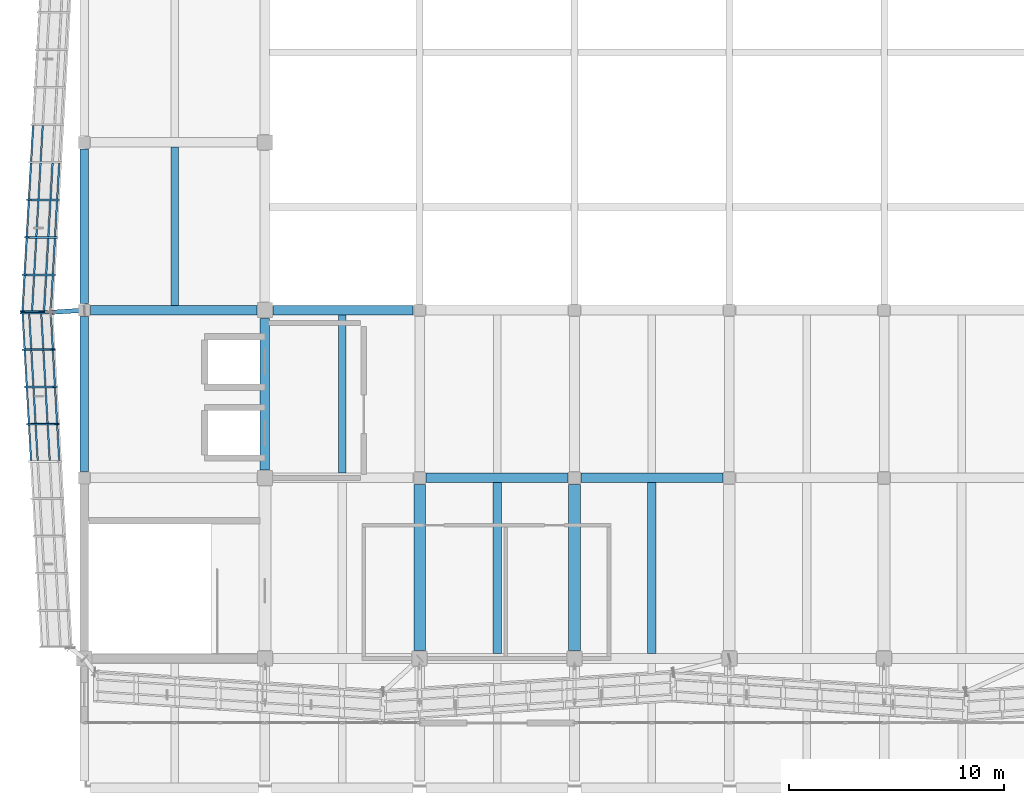
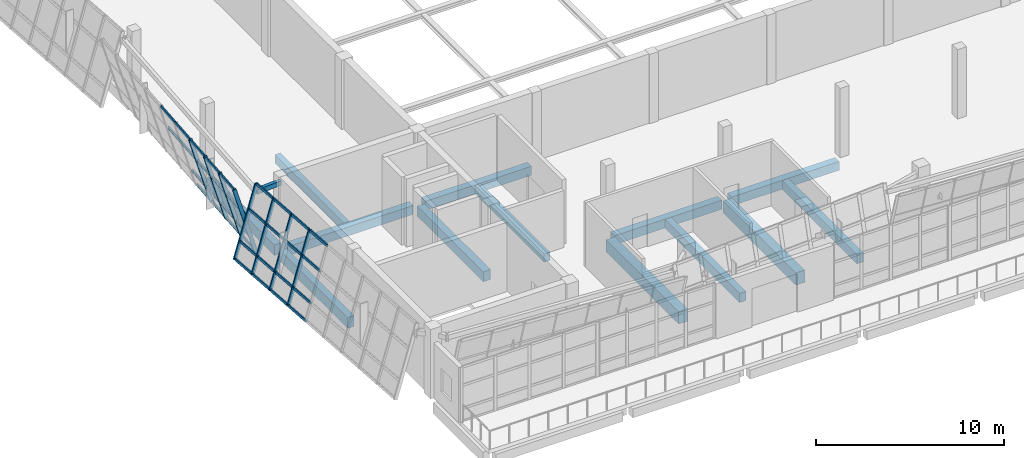
# One storey, part 7 of 67: 42 members, 14 beams, 2 elements without a shape of their own.
"""IFC4 building model written with IfcOpenShell, lengths in metres."""

from ifc_helpers import new_model, si_unit, direction, frame, origin, origin_2d, place, context, subcontext, project, spatial, rectangle, hollow_rectangle, extrude, material, material_profile, profile_set, type_object, element, aggregate, save


model = new_model("IFC4")

# Units and contexts
model_context = context("Model", 3, precision=1e-05, world=origin(), true_north=direction((0.0, 1.0)))
body_context = subcontext(model_context, "Body", "Model", "MODEL_VIEW")
ifc_project = project(units=[si_unit("LENGTHUNIT", "METRE"), si_unit("AREAUNIT", "SQUARE_METRE"), si_unit("VOLUMEUNIT", "CUBIC_METRE"), si_unit("PLANEANGLEUNIT", "RADIAN"), si_unit("MASSUNIT", "GRAM", prefix="KILO")], contexts=[model_context])

# Site, building, storey
site_placement = place(None, origin())
site = spatial("IfcSite", under=ifc_project, at=site_placement, CompositionType="ELEMENT")
building_placement = place(site_placement, origin())
building = spatial("IfcBuilding", under=site, at=building_placement, Name="Pellamere Symphony Hall", CompositionType="ELEMENT")
storey_placement = place(building_placement, frame((0.0, 0.0, 19.5)))
storey = spatial("IfcBuildingStorey", under=building, at=storey_placement, Name="L04", CompositionType="ELEMENT", Elevation=19.5)

# Curtain wall, members
ifc_material_1 = material(Name="Thermally Broken Anodised Aluminium 6063-T6 Curtain Wall", Category="aluminium")
curtain_wall_type = type_object("IfcCurtainWallType", Name="Curtain Wall CW-01 (Tilted Faceted Crystal Low-Iron Curtain Wall)", PredefinedType="NOTDEFINED", material=ifc_material_1)
curtain_wall_1_placement = place(storey_placement, origin())
curtain_wall_1 = element("IfcCurtainWall", 1, at=curtain_wall_1_placement, inside=storey, type_object=curtain_wall_type, Name="Crystal Faceted Curtain Wall CW-CR17 (L04)", PredefinedType="NOTDEFINED")
ifc_material_2 = material(Name="Anodised Architectural Aluminium 6063-T6", Category="aluminium")
ifc_material_profile_1 = material_profile(ifc_material_2, hollow_rectangle(XDim=0.074951171875, YDim=0.219970703125, WallThickness=0.0048828125, at=origin_2d()), Name="ALU-M75X220X5")
ifc_profile_set_1 = profile_set([ifc_material_profile_1], Name="Anodised Architectural Aluminium 6063-T6")
member_type_1 = type_object("IfcMemberType", Name="Curtain Wall Mullion ML-01 ALU-M75X220X5", PredefinedType="MULLION", material=ifc_profile_set_1)
member_1_placement = place(storey_placement, frame((49.14990234375, 51.333251953125, 0.0), z_axis=(-0.284024567884, 0.0, 0.95881700279), x_axis=(-0.054873944304, -0.99836096977, -0.016254976991)))
member_1 = element("IfcMember", 2, at=member_1_placement, type_object=member_type_1, Name="CW1-051 crystal mullion 7", PredefinedType="MULLION", context=body_context, shape_type="SweptSolid", body=[
    extrude(hollow_rectangle(XDim=0.074951171875, YDim=0.219970703125, WallThickness=0.0048828125, at=origin_2d()), origin(), (0.0, 0.0, 1.0), 4.693359375),
])
member_2_placement = place(storey_placement, frame((49.050048828125, 49.5888671875, 0.0), z_axis=(-0.284024567884, 0.0, 0.95881700279), x_axis=(-0.054873944304, -0.99836096977, -0.016254976991)))
member_2 = element("IfcMember", 3, at=member_2_placement, type_object=member_type_1, Name="CW1-051 crystal mullion 8", PredefinedType="MULLION", context=body_context, shape_type="SweptSolid", body=[
    extrude(hollow_rectangle(XDim=0.074951171875, YDim=0.219970703125, WallThickness=0.0048828125, at=origin_2d()), origin(), (0.0, 0.0, 1.0), 4.693359375),
])
member_3_placement = place(storey_placement, frame((48.949951171875, 47.844482421875, 0.0), z_axis=(-0.284024567884, 0.0, 0.95881700279), x_axis=(-0.054873944304, -0.99836096977, -0.016254976991)))
member_3 = element("IfcMember", 4, at=member_3_placement, type_object=member_type_1, Name="CW1-051 crystal mullion 9", PredefinedType="MULLION", context=body_context, shape_type="SweptSolid", body=[
    extrude(hollow_rectangle(XDim=0.074951171875, YDim=0.219970703125, WallThickness=0.0048828125, at=origin_2d()), origin(), (0.0, 0.0, 1.0), 4.693359375),
])
member_4_placement = place(storey_placement, frame((48.85205078125, 46.137451171875, 0.0), z_axis=(-0.284024567884, 0.0, 0.95881700279), x_axis=(-0.054873944304, -0.99836096977, -0.016254976991)))
member_4 = element("IfcMember", 5, at=member_4_placement, type_object=member_type_1, Name="CW1-051 crystal mullion 10", PredefinedType="MULLION", context=body_context, shape_type="SweptSolid", body=[
    extrude(hollow_rectangle(XDim=0.074951171875, YDim=0.219970703125, WallThickness=0.0048828125, at=origin_2d()), origin(), (0.0, 0.0, 1.0), 4.693359375),
])

curtain_wall_2_placement = place(storey_placement, origin())
curtain_wall_2 = element("IfcCurtainWall", 6, at=curtain_wall_2_placement, inside=storey, type_object=curtain_wall_type, Name="Crystal Faceted Curtain Wall CW-CR18 (L04)", PredefinedType="NOTDEFINED")
member_5_placement = place(storey_placement, frame((47.51904296875, 46.0625, 0.0), z_axis=(0.284024567884, 0.0, 0.95881700279), x_axis=(-0.055224537145, 0.998339941676, 0.01635883099)))
member_5 = element("IfcMember", 7, at=member_5_placement, type_object=member_type_1, Name="CW1-056 crystal mullion 1", PredefinedType="MULLION", context=body_context, shape_type="SweptSolid", body=[
    extrude(hollow_rectangle(XDim=0.074951171875, YDim=0.219970703125, WallThickness=0.0048828125, at=origin_2d()), origin(), (0.0, 0.0, 1.0), 4.693359375),
])
member_6_placement = place(storey_placement, frame((47.616943359375, 44.36669921875, 0.0), z_axis=(0.284024567884, 0.0, 0.95881700279), x_axis=(-0.055224537145, 0.998339941676, 0.01635883099)))
member_6 = element("IfcMember", 8, at=member_6_placement, type_object=member_type_1, Name="CW1-056 crystal mullion 2", PredefinedType="MULLION", context=body_context, shape_type="SweptSolid", body=[
    extrude(hollow_rectangle(XDim=0.074951171875, YDim=0.219970703125, WallThickness=0.0048828125, at=origin_2d()), origin(), (0.0, 0.0, 1.0), 4.693359375),
])
member_7_placement = place(storey_placement, frame((47.717041015625, 42.63330078125, 0.0), z_axis=(0.284024567884, 0.0, 0.95881700279), x_axis=(-0.055224537145, 0.998339941676, 0.01635883099)))
member_7 = element("IfcMember", 9, at=member_7_placement, type_object=member_type_1, Name="CW1-056 crystal mullion 3", PredefinedType="MULLION", context=body_context, shape_type="SweptSolid", body=[
    extrude(hollow_rectangle(XDim=0.074951171875, YDim=0.219970703125, WallThickness=0.0048828125, at=origin_2d()), origin(), (0.0, 0.0, 1.0), 4.693359375),
])
member_8_placement = place(storey_placement, frame((47.81689453125, 40.89990234375, 0.0), z_axis=(0.284024567884, 0.0, 0.95881700279), x_axis=(-0.055224537145, 0.998339941676, 0.01635883099)))
member_8 = element("IfcMember", 10, at=member_8_placement, type_object=member_type_1, Name="CW1-056 crystal mullion 4", PredefinedType="MULLION", context=body_context, shape_type="SweptSolid", body=[
    extrude(hollow_rectangle(XDim=0.074951171875, YDim=0.219970703125, WallThickness=0.0048828125, at=origin_2d()), origin(), (0.0, 0.0, 1.0), 4.693359375),
])

# Member
ifc_material_profile_2 = material_profile(ifc_material_2, hollow_rectangle(XDim=0.074951171875, YDim=0.179931640625, WallThickness=0.0048828125, at=origin_2d()), Name="ALU-T75X180X5")
ifc_profile_set_2 = profile_set([ifc_material_profile_2], Name="Anodised Architectural Aluminium 6063-T6")
member_type_2 = type_object("IfcMemberType", Name="Curtain Wall Transom TR-01 ALU-T75X180X5", PredefinedType="USERDEFINED", material=ifc_profile_set_2)
member_9_placement = place(storey_placement, frame((48.468017578125, 54.78466796875, 2.969970703125), z_axis=(-0.057232737422, -0.998360863499, 0.0), x_axis=(0.998360863499, -0.057232737422, 0.0)))
member_9 = element("IfcMember", 11, at=member_9_placement, type_object=member_type_2, Name="CW1-051 crystal transom 5.3", ObjectType="TRANSOM", PredefinedType="USERDEFINED", context=body_context, shape_type="SweptSolid", body=[
    extrude(hollow_rectangle(XDim=0.074951171875, YDim=0.179931640625, WallThickness=0.0048828125, at=origin_2d()), origin(), (0.0, 0.0, 1.0), 1.672119140625),
])

member_10_placement = place(storey_placement, frame((48.025390625, 54.78466796875, 4.464111328125), z_axis=(-0.057232737422, -0.998360863499, 0.0), x_axis=(0.998360863499, -0.057232737422, 0.0)))
member_10 = element("IfcMember", 12, at=member_10_placement, type_object=member_type_2, Name="CW1-051 crystal transom 5.4", ObjectType="TRANSOM", PredefinedType="USERDEFINED", context=body_context, shape_type="SweptSolid", body=[
    extrude(hollow_rectangle(XDim=0.074951171875, YDim=0.179931640625, WallThickness=0.0048828125, at=origin_2d()), origin(), (0.0, 0.0, 1.0), 1.672119140625),
])

member_11_placement = place(storey_placement, frame((49.2373046875, 53.040283203125, 0.035888671875), z_axis=(-0.057232737422, -0.998360863499, 0.0), x_axis=(0.998360863499, -0.057232737422, 0.0)))
member_11 = element("IfcMember", 13, at=member_11_placement, type_object=member_type_2, Name="CW1-051 crystal transom 6.1", ObjectType="TRANSOM", PredefinedType="USERDEFINED", context=body_context, shape_type="SweptSolid", body=[
    extrude(hollow_rectangle(XDim=0.074951171875, YDim=0.179931640625, WallThickness=0.0048828125, at=origin_2d()), origin(), (0.0, 0.0, 1.0), 1.672119140625),
])

member_12_placement = place(storey_placement, frame((48.927978515625, 53.040283203125, 1.080078125), z_axis=(-0.057232737422, -0.998360863499, 0.0), x_axis=(0.998360863499, -0.057232737422, 0.0)))
member_12 = element("IfcMember", 14, at=member_12_placement, type_object=member_type_2, Name="CW1-051 crystal transom 6.2", ObjectType="TRANSOM", PredefinedType="USERDEFINED", context=body_context, shape_type="SweptSolid", body=[
    extrude(hollow_rectangle(XDim=0.074951171875, YDim=0.179931640625, WallThickness=0.0048828125, at=origin_2d()), origin(), (0.0, 0.0, 1.0), 1.672119140625),
])

member_13_placement = place(storey_placement, frame((48.3681640625, 53.040283203125, 2.969970703125), z_axis=(-0.057232737422, -0.998360863499, 0.0), x_axis=(0.998360863499, -0.057232737422, 0.0)))
member_13 = element("IfcMember", 15, at=member_13_placement, type_object=member_type_2, Name="CW1-051 crystal transom 6.3", ObjectType="TRANSOM", PredefinedType="USERDEFINED", context=body_context, shape_type="SweptSolid", body=[
    extrude(hollow_rectangle(XDim=0.074951171875, YDim=0.179931640625, WallThickness=0.0048828125, at=origin_2d()), origin(), (0.0, 0.0, 1.0), 1.672119140625),
])

member_14_placement = place(storey_placement, frame((47.925537109375, 53.040283203125, 4.464111328125), z_axis=(-0.057232737422, -0.998360863499, 0.0), x_axis=(0.998360863499, -0.057232737422, 0.0)))
member_14 = element("IfcMember", 16, at=member_14_placement, type_object=member_type_2, Name="CW1-051 crystal transom 6.4", ObjectType="TRANSOM", PredefinedType="USERDEFINED", context=body_context, shape_type="SweptSolid", body=[
    extrude(hollow_rectangle(XDim=0.074951171875, YDim=0.179931640625, WallThickness=0.0048828125, at=origin_2d()), origin(), (0.0, 0.0, 1.0), 1.672119140625),
])

member_15_placement = place(storey_placement, frame((49.13720703125, 51.2958984375, 0.035888671875), z_axis=(-0.057224396245, -0.998361341637, 0.0), x_axis=(0.998361341637, -0.057224396245, 0.0)))
member_15 = element("IfcMember", 17, at=member_15_placement, type_object=member_type_2, Name="CW1-051 crystal transom 7.1", ObjectType="TRANSOM", PredefinedType="USERDEFINED", context=body_context, shape_type="SweptSolid", body=[
    extrude(hollow_rectangle(XDim=0.074951171875, YDim=0.179931640625, WallThickness=0.0048828125, at=origin_2d()), origin(), (0.0, 0.0, 1.0), 1.67236328125),
])

member_16_placement = place(storey_placement, frame((48.827880859375, 51.2958984375, 1.080078125), z_axis=(-0.057224396245, -0.998361341637, 0.0), x_axis=(0.998361341637, -0.057224396245, 0.0)))
member_16 = element("IfcMember", 18, at=member_16_placement, type_object=member_type_2, Name="CW1-051 crystal transom 7.2", ObjectType="TRANSOM", PredefinedType="USERDEFINED", context=body_context, shape_type="SweptSolid", body=[
    extrude(hollow_rectangle(XDim=0.074951171875, YDim=0.179931640625, WallThickness=0.0048828125, at=origin_2d()), origin(), (0.0, 0.0, 1.0), 1.67236328125),
])

member_17_placement = place(storey_placement, frame((48.26806640625, 51.2958984375, 2.969970703125), z_axis=(-0.057224396245, -0.998361341637, 0.0), x_axis=(0.998361341637, -0.057224396245, 0.0)))
member_17 = element("IfcMember", 19, at=member_17_placement, type_object=member_type_2, Name="CW1-051 crystal transom 7.3", ObjectType="TRANSOM", PredefinedType="USERDEFINED", context=body_context, shape_type="SweptSolid", body=[
    extrude(hollow_rectangle(XDim=0.074951171875, YDim=0.179931640625, WallThickness=0.0048828125, at=origin_2d()), origin(), (0.0, 0.0, 1.0), 1.67236328125),
])

member_18_placement = place(storey_placement, frame((47.825439453125, 51.2958984375, 4.464111328125), z_axis=(-0.057224396245, -0.998361341637, 0.0), x_axis=(0.998361341637, -0.057224396245, 0.0)))
member_18 = element("IfcMember", 20, at=member_18_placement, type_object=member_type_2, Name="CW1-051 crystal transom 7.4", ObjectType="TRANSOM", PredefinedType="USERDEFINED", context=body_context, shape_type="SweptSolid", body=[
    extrude(hollow_rectangle(XDim=0.074951171875, YDim=0.179931640625, WallThickness=0.0048828125, at=origin_2d()), origin(), (0.0, 0.0, 1.0), 1.67236328125),
])

member_19_placement = place(storey_placement, frame((49.037109375, 49.551513671875, 0.035888671875), z_axis=(-0.057224396245, -0.998361341637, 0.0), x_axis=(0.998361341637, -0.057224396245, 0.0)))
member_19 = element("IfcMember", 21, at=member_19_placement, type_object=member_type_2, Name="CW1-051 crystal transom 8.1", ObjectType="TRANSOM", PredefinedType="USERDEFINED", context=body_context, shape_type="SweptSolid", body=[
    extrude(hollow_rectangle(XDim=0.074951171875, YDim=0.179931640625, WallThickness=0.0048828125, at=origin_2d()), origin(), (0.0, 0.0, 1.0), 1.67236328125),
])

member_20_placement = place(storey_placement, frame((48.72802734375, 49.551513671875, 1.080078125), z_axis=(-0.057224396245, -0.998361341637, 0.0), x_axis=(0.998361341637, -0.057224396245, 0.0)))
member_20 = element("IfcMember", 22, at=member_20_placement, type_object=member_type_2, Name="CW1-051 crystal transom 8.2", ObjectType="TRANSOM", PredefinedType="USERDEFINED", context=body_context, shape_type="SweptSolid", body=[
    extrude(hollow_rectangle(XDim=0.074951171875, YDim=0.179931640625, WallThickness=0.0048828125, at=origin_2d()), origin(), (0.0, 0.0, 1.0), 1.67236328125),
])

member_21_placement = place(storey_placement, frame((48.16796875, 49.551513671875, 2.969970703125), z_axis=(-0.057224396245, -0.998361341637, 0.0), x_axis=(0.998361341637, -0.057224396245, 0.0)))
member_21 = element("IfcMember", 23, at=member_21_placement, type_object=member_type_2, Name="CW1-051 crystal transom 8.3", ObjectType="TRANSOM", PredefinedType="USERDEFINED", context=body_context, shape_type="SweptSolid", body=[
    extrude(hollow_rectangle(XDim=0.074951171875, YDim=0.179931640625, WallThickness=0.0048828125, at=origin_2d()), origin(), (0.0, 0.0, 1.0), 1.67236328125),
])

member_22_placement = place(storey_placement, frame((47.7255859375, 49.551513671875, 4.464111328125), z_axis=(-0.057224396245, -0.998361341637, 0.0), x_axis=(0.998361341637, -0.057224396245, 0.0)))
member_22 = element("IfcMember", 24, at=member_22_placement, type_object=member_type_2, Name="CW1-051 crystal transom 8.4", ObjectType="TRANSOM", PredefinedType="USERDEFINED", context=body_context, shape_type="SweptSolid", body=[
    extrude(hollow_rectangle(XDim=0.074951171875, YDim=0.179931640625, WallThickness=0.0048828125, at=origin_2d()), origin(), (0.0, 0.0, 1.0), 1.67236328125),
])

member_23_placement = place(storey_placement, frame((48.937255859375, 47.806884765625, 0.035888671875), z_axis=(-0.057198647566, -0.998362817175, 0.0), x_axis=(0.998362817175, -0.057198647566, 0.0)))
member_23 = element("IfcMember", 25, at=member_23_placement, type_object=member_type_2, Name="CW1-051 crystal transom 9.1", ObjectType="TRANSOM", PredefinedType="USERDEFINED", context=body_context, shape_type="SweptSolid", body=[
    extrude(hollow_rectangle(XDim=0.074951171875, YDim=0.179931640625, WallThickness=0.0048828125, at=origin_2d()), origin(), (0.0, 0.0, 1.0), 1.634765625),
])

member_24_placement = place(storey_placement, frame((48.6279296875, 47.806884765625, 1.080078125), z_axis=(-0.057198647566, -0.998362817175, 0.0), x_axis=(0.998362817175, -0.057198647566, 0.0)))
member_24 = element("IfcMember", 26, at=member_24_placement, type_object=member_type_2, Name="CW1-051 crystal transom 9.2", ObjectType="TRANSOM", PredefinedType="USERDEFINED", context=body_context, shape_type="SweptSolid", body=[
    extrude(hollow_rectangle(XDim=0.074951171875, YDim=0.179931640625, WallThickness=0.0048828125, at=origin_2d()), origin(), (0.0, 0.0, 1.0), 1.634765625),
])

member_25_placement = place(storey_placement, frame((48.068115234375, 47.806884765625, 2.969970703125), z_axis=(-0.057198647566, -0.998362817175, 0.0), x_axis=(0.998362817175, -0.057198647566, 0.0)))
member_25 = element("IfcMember", 27, at=member_25_placement, type_object=member_type_2, Name="CW1-051 crystal transom 9.3", ObjectType="TRANSOM", PredefinedType="USERDEFINED", context=body_context, shape_type="SweptSolid", body=[
    extrude(hollow_rectangle(XDim=0.074951171875, YDim=0.179931640625, WallThickness=0.0048828125, at=origin_2d()), origin(), (0.0, 0.0, 1.0), 1.634765625),
])

member_26_placement = place(storey_placement, frame((47.62548828125, 47.806884765625, 4.464111328125), z_axis=(-0.057198647566, -0.998362817175, 0.0), x_axis=(0.998362817175, -0.057198647566, 0.0)))
member_26 = element("IfcMember", 28, at=member_26_placement, type_object=member_type_2, Name="CW1-051 crystal transom 9.4", ObjectType="TRANSOM", PredefinedType="USERDEFINED", context=body_context, shape_type="SweptSolid", body=[
    extrude(hollow_rectangle(XDim=0.074951171875, YDim=0.179931640625, WallThickness=0.0048828125, at=origin_2d()), origin(), (0.0, 0.0, 1.0), 1.634765625),
])

aggregate(curtain_wall_1, [member_1, member_2, member_3, member_4, member_9, member_10, member_11, member_12, member_13, member_14, member_15, member_16, member_17, member_18, member_19, member_20, member_21, member_22, member_23, member_24, member_25, member_26])

member_27_placement = place(storey_placement, frame((47.531982421875, 46.025146484375, 0.035888671875), z_axis=(0.057585007883, -0.99834060664, 0.0), x_axis=(0.99834060664, 0.057585007883, 0.0)))
member_27 = element("IfcMember", 29, at=member_27_placement, type_object=member_type_2, Name="CW1-056 crystal transom 1.1", ObjectType="TRANSOM", PredefinedType="USERDEFINED", context=body_context, shape_type="SweptSolid", body=[
    extrude(hollow_rectangle(XDim=0.074951171875, YDim=0.179931640625, WallThickness=0.0048828125, at=origin_2d()), origin(), (0.0, 0.0, 1.0), 1.623779296875),
])

member_28_placement = place(storey_placement, frame((47.84130859375, 46.025146484375, 1.080078125), z_axis=(0.057585007883, -0.99834060664, 0.0), x_axis=(0.99834060664, 0.057585007883, 0.0)))
member_28 = element("IfcMember", 30, at=member_28_placement, type_object=member_type_2, Name="CW1-056 crystal transom 1.2", ObjectType="TRANSOM", PredefinedType="USERDEFINED", context=body_context, shape_type="SweptSolid", body=[
    extrude(hollow_rectangle(XDim=0.074951171875, YDim=0.179931640625, WallThickness=0.0048828125, at=origin_2d()), origin(), (0.0, 0.0, 1.0), 1.623779296875),
])

member_29_placement = place(storey_placement, frame((48.401123046875, 46.025146484375, 2.969970703125), z_axis=(0.057585007883, -0.99834060664, 0.0), x_axis=(0.99834060664, 0.057585007883, 0.0)))
member_29 = element("IfcMember", 31, at=member_29_placement, type_object=member_type_2, Name="CW1-056 crystal transom 1.3", ObjectType="TRANSOM", PredefinedType="USERDEFINED", context=body_context, shape_type="SweptSolid", body=[
    extrude(hollow_rectangle(XDim=0.074951171875, YDim=0.179931640625, WallThickness=0.0048828125, at=origin_2d()), origin(), (0.0, 0.0, 1.0), 1.623779296875),
])

member_30_placement = place(storey_placement, frame((48.84375, 46.025146484375, 4.464111328125), z_axis=(0.057585007883, -0.99834060664, 0.0), x_axis=(0.99834060664, 0.057585007883, 0.0)))
member_30 = element("IfcMember", 32, at=member_30_placement, type_object=member_type_2, Name="CW1-056 crystal transom 1.4", ObjectType="TRANSOM", PredefinedType="USERDEFINED", context=body_context, shape_type="SweptSolid", body=[
    extrude(hollow_rectangle(XDim=0.074951171875, YDim=0.179931640625, WallThickness=0.0048828125, at=origin_2d()), origin(), (0.0, 0.0, 1.0), 1.623779296875),
])

member_31_placement = place(storey_placement, frame((47.6298828125, 44.329345703125, 0.035888671875), z_axis=(0.057602168051, -0.998339616682, 0.0), x_axis=(0.998339616682, 0.057602168051, 0.0)))
member_31 = element("IfcMember", 33, at=member_31_placement, type_object=member_type_2, Name="CW1-056 crystal transom 2.1", ObjectType="TRANSOM", PredefinedType="USERDEFINED", context=body_context, shape_type="SweptSolid", body=[
    extrude(hollow_rectangle(XDim=0.074951171875, YDim=0.179931640625, WallThickness=0.0048828125, at=origin_2d()), origin(), (0.0, 0.0, 1.0), 1.661376953125),
])

member_32_placement = place(storey_placement, frame((47.93896484375, 44.329345703125, 1.080078125), z_axis=(0.057602168051, -0.998339616682, 0.0), x_axis=(0.998339616682, 0.057602168051, 0.0)))
member_32 = element("IfcMember", 34, at=member_32_placement, type_object=member_type_2, Name="CW1-056 crystal transom 2.2", ObjectType="TRANSOM", PredefinedType="USERDEFINED", context=body_context, shape_type="SweptSolid", body=[
    extrude(hollow_rectangle(XDim=0.074951171875, YDim=0.179931640625, WallThickness=0.0048828125, at=origin_2d()), origin(), (0.0, 0.0, 1.0), 1.661376953125),
])

member_33_placement = place(storey_placement, frame((48.4990234375, 44.329345703125, 2.969970703125), z_axis=(0.057602168051, -0.998339616682, 0.0), x_axis=(0.998339616682, 0.057602168051, 0.0)))
member_33 = element("IfcMember", 35, at=member_33_placement, type_object=member_type_2, Name="CW1-056 crystal transom 2.3", ObjectType="TRANSOM", PredefinedType="USERDEFINED", context=body_context, shape_type="SweptSolid", body=[
    extrude(hollow_rectangle(XDim=0.074951171875, YDim=0.179931640625, WallThickness=0.0048828125, at=origin_2d()), origin(), (0.0, 0.0, 1.0), 1.661376953125),
])

member_34_placement = place(storey_placement, frame((48.94140625, 44.329345703125, 4.464111328125), z_axis=(0.057602168051, -0.998339616682, 0.0), x_axis=(0.998339616682, 0.057602168051, 0.0)))
member_34 = element("IfcMember", 36, at=member_34_placement, type_object=member_type_2, Name="CW1-056 crystal transom 2.4", ObjectType="TRANSOM", PredefinedType="USERDEFINED", context=body_context, shape_type="SweptSolid", body=[
    extrude(hollow_rectangle(XDim=0.074951171875, YDim=0.179931640625, WallThickness=0.0048828125, at=origin_2d()), origin(), (0.0, 0.0, 1.0), 1.661376953125),
])

member_35_placement = place(storey_placement, frame((47.729736328125, 42.595947265625, 0.035888671875), z_axis=(0.057610619545, -0.998339129012, 0.0), x_axis=(0.998339129012, 0.057610619545, 0.0)))
member_35 = element("IfcMember", 37, at=member_35_placement, type_object=member_type_2, Name="CW1-056 crystal transom 3.1", ObjectType="TRANSOM", PredefinedType="USERDEFINED", context=body_context, shape_type="SweptSolid", body=[
    extrude(hollow_rectangle(XDim=0.074951171875, YDim=0.179931640625, WallThickness=0.0048828125, at=origin_2d()), origin(), (0.0, 0.0, 1.0), 1.6611328125),
])

member_36_placement = place(storey_placement, frame((48.0390625, 42.595947265625, 1.080078125), z_axis=(0.057610619545, -0.998339129012, 0.0), x_axis=(0.998339129012, 0.057610619545, 0.0)))
member_36 = element("IfcMember", 38, at=member_36_placement, type_object=member_type_2, Name="CW1-056 crystal transom 3.2", ObjectType="TRANSOM", PredefinedType="USERDEFINED", context=body_context, shape_type="SweptSolid", body=[
    extrude(hollow_rectangle(XDim=0.074951171875, YDim=0.179931640625, WallThickness=0.0048828125, at=origin_2d()), origin(), (0.0, 0.0, 1.0), 1.6611328125),
])

member_37_placement = place(storey_placement, frame((48.598876953125, 42.595947265625, 2.969970703125), z_axis=(0.057610619545, -0.998339129012, 0.0), x_axis=(0.998339129012, 0.057610619545, 0.0)))
member_37 = element("IfcMember", 39, at=member_37_placement, type_object=member_type_2, Name="CW1-056 crystal transom 3.3", ObjectType="TRANSOM", PredefinedType="USERDEFINED", context=body_context, shape_type="SweptSolid", body=[
    extrude(hollow_rectangle(XDim=0.074951171875, YDim=0.179931640625, WallThickness=0.0048828125, at=origin_2d()), origin(), (0.0, 0.0, 1.0), 1.6611328125),
])

member_38_placement = place(storey_placement, frame((49.04150390625, 42.595947265625, 4.464111328125), z_axis=(0.057610619545, -0.998339129012, 0.0), x_axis=(0.998339129012, 0.057610619545, 0.0)))
member_38 = element("IfcMember", 40, at=member_38_placement, type_object=member_type_2, Name="CW1-056 crystal transom 3.4", ObjectType="TRANSOM", PredefinedType="USERDEFINED", context=body_context, shape_type="SweptSolid", body=[
    extrude(hollow_rectangle(XDim=0.074951171875, YDim=0.179931640625, WallThickness=0.0048828125, at=origin_2d()), origin(), (0.0, 0.0, 1.0), 1.6611328125),
])

member_39_placement = place(storey_placement, frame((47.829833984375, 40.862548828125, 0.035888671875), z_axis=(0.057610619545, -0.998339129012, 0.0), x_axis=(0.998339129012, 0.057610619545, 0.0)))
member_39 = element("IfcMember", 41, at=member_39_placement, type_object=member_type_2, Name="CW1-056 crystal transom 4.1", ObjectType="TRANSOM", PredefinedType="USERDEFINED", context=body_context, shape_type="SweptSolid", body=[
    extrude(hollow_rectangle(XDim=0.074951171875, YDim=0.179931640625, WallThickness=0.0048828125, at=origin_2d()), origin(), (0.0, 0.0, 1.0), 1.6611328125),
])

member_40_placement = place(storey_placement, frame((48.13916015625, 40.862548828125, 1.080078125), z_axis=(0.057610619545, -0.998339129012, 0.0), x_axis=(0.998339129012, 0.057610619545, 0.0)))
member_40 = element("IfcMember", 42, at=member_40_placement, type_object=member_type_2, Name="CW1-056 crystal transom 4.2", ObjectType="TRANSOM", PredefinedType="USERDEFINED", context=body_context, shape_type="SweptSolid", body=[
    extrude(hollow_rectangle(XDim=0.074951171875, YDim=0.179931640625, WallThickness=0.0048828125, at=origin_2d()), origin(), (0.0, 0.0, 1.0), 1.6611328125),
])

member_41_placement = place(storey_placement, frame((48.698974609375, 40.862548828125, 2.969970703125), z_axis=(0.057610619545, -0.998339129012, 0.0), x_axis=(0.998339129012, 0.057610619545, 0.0)))
member_41 = element("IfcMember", 43, at=member_41_placement, type_object=member_type_2, Name="CW1-056 crystal transom 4.3", ObjectType="TRANSOM", PredefinedType="USERDEFINED", context=body_context, shape_type="SweptSolid", body=[
    extrude(hollow_rectangle(XDim=0.074951171875, YDim=0.179931640625, WallThickness=0.0048828125, at=origin_2d()), origin(), (0.0, 0.0, 1.0), 1.6611328125),
])

member_42_placement = place(storey_placement, frame((49.1416015625, 40.862548828125, 4.464111328125), z_axis=(0.057610619545, -0.998339129012, 0.0), x_axis=(0.998339129012, 0.057610619545, 0.0)))
member_42 = element("IfcMember", 44, at=member_42_placement, type_object=member_type_2, Name="CW1-056 crystal transom 4.4", ObjectType="TRANSOM", PredefinedType="USERDEFINED", context=body_context, shape_type="SweptSolid", body=[
    extrude(hollow_rectangle(XDim=0.074951171875, YDim=0.179931640625, WallThickness=0.0048828125, at=origin_2d()), origin(), (0.0, 0.0, 1.0), 1.6611328125),
])

aggregate(curtain_wall_2, [member_5, member_6, member_7, member_8, member_27, member_28, member_29, member_30, member_31, member_32, member_33, member_34, member_35, member_36, member_37, member_38, member_39, member_40, member_41, member_42])

# Beams
ifc_material_3 = material(Name="Concrete 40 MPa", Category="concrete")
ifc_material_profile_3 = material_profile(ifc_material_3, rectangle(XDim=0.550048828125, YDim=0.800048828125, at=origin_2d()), Name="RC 550x800")
ifc_profile_set_3 = profile_set([ifc_material_profile_3], Name="Concrete 40 MPa")
beam_type_1 = type_object("IfcBeamType", Name="RC CB-05 550x800", PredefinedType="BEAM", material=ifc_profile_set_3)
for number, where, z_axis, x_axis, name in (
    (45, (66.0, 30.375, -0.659912109375), (0.0, 1.0, 0.0), (-1.0, 0.0, 0.0), "Girder CB-05-Y1887 (L04)"),
    (46, (73.199951171875, 30.375, -0.659912109375), (0.0, 1.0, 0.0), (-1.0, 0.0, 0.0), "Girder CB-05-Y1890 (L04)"),
):
    element("IfcBeam", number, at=place(storey_placement, frame(where, z_axis=z_axis, x_axis=x_axis)), inside=storey, type_object=beam_type_1, Name=name, PredefinedType="BEAM", context=body_context, shape_type="SweptSolid", body=[
        extrude(rectangle(XDim=0.550048828125, YDim=0.800048828125, at=origin_2d()), origin(), (0.0, 0.0, 1.0), 7.72509765625),
    ])
ifc_material_profile_4 = material_profile(ifc_material_3, rectangle(XDim=0.449951171875, YDim=0.64990234375, at=origin_2d()), Name="RC 450x650")
ifc_profile_set_4 = profile_set([ifc_material_profile_4], Name="Concrete 40 MPa")
beam_type_2 = type_object("IfcBeamType", Name="RC CB-08 450x650", PredefinedType="BEAM", material=ifc_profile_set_4)
beam_1_placement = place(storey_placement, frame((58.800048828125, 38.77490234375, -0.5849609375), z_axis=(0.0, 1.0, 0.0), x_axis=(-1.0, 0.0, 0.0)))
element("IfcBeam", 47, at=beam_1_placement, inside=storey, type_object=beam_type_2, Name="Girder CB-08-Y1879 (L04)", PredefinedType="BEAM", context=body_context, shape_type="SweptSolid", body=[
    extrude(rectangle(XDim=0.449951171875, YDim=0.64990234375, at=origin_2d()), origin(), (0.0, 0.0, 1.0), 7.050048828125),
])
ifc_material_profile_5 = material_profile(ifc_material_3, rectangle(XDim=0.39990234375, YDim=0.60009765625, at=origin_2d()), Name="RC 400x600")
ifc_profile_set_5 = profile_set([ifc_material_profile_5], Name="Concrete 40 MPa")
beam_type_3 = type_object("IfcBeamType", Name="RC CB-09 400x600", PredefinedType="BEAM", material=ifc_profile_set_5)
for number, where, z_axis, x_axis, name in (
    (48, (69.60009765625, 30.239990234375, -0.574951171875), (0.0, 1.0, 0.0), (-1.0, 0.0, 0.0), "Secondary Floor Beam CB-09-M0804 (L04)"),
    (49, (76.800048828125, 30.239990234375, -0.574951171875), (0.0, 1.0, 0.0), (-1.0, 0.0, 0.0), "Secondary Floor Beam CB-09-M0904 (L04)"),
):
    element("IfcBeam", number, at=place(storey_placement, frame(where, z_axis=z_axis, x_axis=x_axis)), inside=storey, type_object=beam_type_3, Name=name, PredefinedType="BEAM", context=body_context, shape_type="SweptSolid", body=[
        extrude(rectangle(XDim=0.39990234375, YDim=0.60009765625, at=origin_2d()), origin(), (0.0, 0.0, 1.0), 7.93994140625),
    ])
ifc_material_4 = material(Name="Concrete 35 MPa", Category="concrete")
ifc_material_profile_6 = material_profile(ifc_material_4, rectangle(XDim=0.35009765625, YDim=0.550048828125, at=origin_2d()), Name="RC 350x550")
ifc_profile_set_6 = profile_set([ifc_material_profile_6], Name="Concrete 35 MPa")
beam_type_4 = type_object("IfcBeamType", Name="RC CB-10 350x550", PredefinedType="BEAM", material=ifc_profile_set_6)
beam_2_placement = place(storey_placement, frame((54.60009765625, 46.419921875, -0.550048828125), z_axis=(0.0, 1.0, 0.0), x_axis=(-1.0, 0.0, 0.0)))
element("IfcBeam", 50, at=beam_2_placement, inside=storey, type_object=beam_type_4, Name="Secondary Floor Beam CB-10-M0606 (L04)", PredefinedType="BEAM", context=body_context, shape_type="SweptSolid", body=[
    extrude(rectangle(XDim=0.35009765625, YDim=0.550048828125, at=origin_2d()), origin(), (0.0, 0.0, 1.0), 7.360107421875),
])
beam_3_placement = place(storey_placement, frame((62.39990234375, 38.6201171875, -0.550048828125), z_axis=(0.0, 1.0, 0.0), x_axis=(-1.0, 0.0, 0.0)))
element("IfcBeam", 51, at=beam_3_placement, inside=storey, type_object=beam_type_4, Name="Secondary Floor Beam CB-10-M0705 (L04)", PredefinedType="BEAM", context=body_context, shape_type="SweptSolid", body=[
    extrude(rectangle(XDim=0.35009765625, YDim=0.550048828125, at=origin_2d()), origin(), (0.0, 0.0, 1.0), 7.35986328125),
])
ifc_material_profile_7 = material_profile(ifc_material_3, rectangle(XDim=0.39990234375, YDim=0.699951171875, at=origin_2d()), Name="RC 400x700")
ifc_profile_set_7 = profile_set([ifc_material_profile_7], Name="Concrete 40 MPa")
beam_type_5 = type_object("IfcBeamType", Name="RC CB-13 400x700", PredefinedType="SPANDREL", material=ifc_profile_set_7)
for number, where, z_axis, x_axis, name in (
    (52, (50.39990234375, 38.699951171875, -0.610107421875), (0.0, 1.0, 0.0), (-1.0, 0.0, 0.0), "Girder CB-13-Y1871 (L04)"),
    (53, (50.39990234375, 46.5, -0.610107421875), (0.0, 1.0, 0.0), (-1.0, 0.0, 0.0), "Girder CB-13-Y1872 (L04)"),
):
    element("IfcBeam", number, at=place(storey_placement, frame(where, z_axis=z_axis, x_axis=x_axis)), inside=storey, type_object=beam_type_5, Name=name, PredefinedType="SPANDREL", context=body_context, shape_type="SweptSolid", body=[
        extrude(rectangle(XDim=0.39990234375, YDim=0.699951171875, at=origin_2d()), origin(), (0.0, 0.0, 1.0), 7.199951171875),
    ])
ifc_material_profile_8 = material_profile(ifc_material_3, rectangle(XDim=0.43994140625, YDim=0.580078125, at=origin_2d()), Name="RC 440x580")
ifc_profile_set_8 = profile_set([ifc_material_profile_8], Name="Concrete 40 MPa")
beam_type_6 = type_object("IfcBeamType", Name="RC CB-20 440x580", PredefinedType="BEAM", material=ifc_profile_set_8)
beam_4_placement = place(storey_placement, frame((66.300048828125, 38.39990234375, -0.550048828125), z_axis=(1.0, 0.0, 0.0), x_axis=(0.0, 1.0, 0.0)))
element("IfcBeam", 54, at=beam_4_placement, inside=storey, type_object=beam_type_6, Name="Girder CB-20-X1820 (L04)", PredefinedType="BEAM", context=body_context, shape_type="SweptSolid", body=[
    extrude(rectangle(XDim=0.43994140625, YDim=0.580078125, at=origin_2d()), origin(), (0.0, 0.0, 1.0), 6.599853515625),
])
beam_5_placement = place(storey_placement, frame((73.5, 38.39990234375, -0.550048828125), z_axis=(1.0, 0.0, 0.0), x_axis=(0.0, 1.0, 0.0)))
element("IfcBeam", 55, at=beam_5_placement, inside=storey, type_object=beam_type_6, Name="Girder CB-20-X1821 (L04)", PredefinedType="BEAM", context=body_context, shape_type="SweptSolid", body=[
    extrude(rectangle(XDim=0.43994140625, YDim=0.580078125, at=origin_2d()), origin(), (0.0, 0.0, 1.0), 6.60009765625),
])
beam_6_placement = place(storey_placement, frame((50.699951171875, 46.199951171875, -0.550048828125), z_axis=(1.0, 0.0, 0.0), x_axis=(0.0, 1.0, 0.0)))
element("IfcBeam", 56, at=beam_6_placement, inside=storey, type_object=beam_type_6, Name="Girder CB-20-X1831 (L04)", PredefinedType="BEAM", context=body_context, shape_type="SweptSolid", body=[
    extrude(rectangle(XDim=0.43994140625, YDim=0.580078125, at=origin_2d()), origin(), (0.0, 0.0, 1.0), 7.72509765625),
])
beam_7_placement = place(storey_placement, frame((59.175048828125, 46.199951171875, -0.550048828125), z_axis=(1.0, 0.0, 0.0), x_axis=(0.0, 1.0, 0.0)))
element("IfcBeam", 57, at=beam_7_placement, inside=storey, type_object=beam_type_6, Name="Girder CB-20-X1832 (L04)", PredefinedType="BEAM", context=body_context, shape_type="SweptSolid", body=[
    extrude(rectangle(XDim=0.43994140625, YDim=0.580078125, at=origin_2d()), origin(), (0.0, 0.0, 1.0), 6.52490234375),
])
ifc_material_5 = material(Name="Steel CSA G40.21 350W", Category="steel")
ifc_material_profile_9 = material_profile(ifc_material_5, hollow_rectangle(XDim=0.203125, YDim=0.3046875, WallThickness=0.0126953125, at=origin_2d()), Name="HSS305X203X13")
ifc_profile_set_9 = profile_set([ifc_material_profile_9], Name="Steel CSA G40.21 350W")
beam_type_7 = type_object("IfcBeamType", Name="Steel Spandrel SB-26 HSS305X203X13", PredefinedType="SPANDREL", material=ifc_profile_set_9)
beam_8_placement = place(storey_placement, frame((50.39990234375, 46.199951171875, 3.93994140625), z_axis=(-0.997930844069, -0.064296426469, 0.0), x_axis=(0.064296426469, -0.997930844069, 0.0)))
element("IfcBeam", 58, at=beam_8_placement, inside=storey, type_object=beam_type_7, Name="Crystal Ring Outrigger Bracket 115 (L04)", PredefinedType="SPANDREL", context=body_context, shape_type="SweptSolid", body=[
    extrude(hollow_rectangle(XDim=0.203125, YDim=0.3046875, WallThickness=0.0126953125, at=origin_2d()), origin(), (0.0, 0.0, 1.0), 1.552978515625),
])

save(model, "model.ifc")
